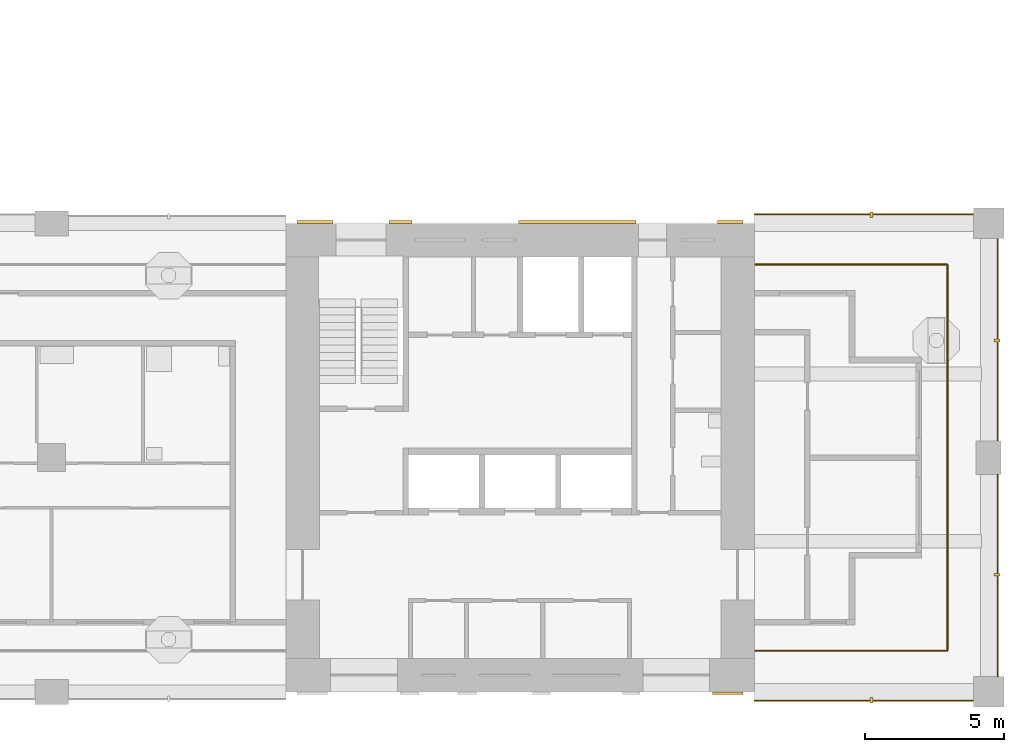
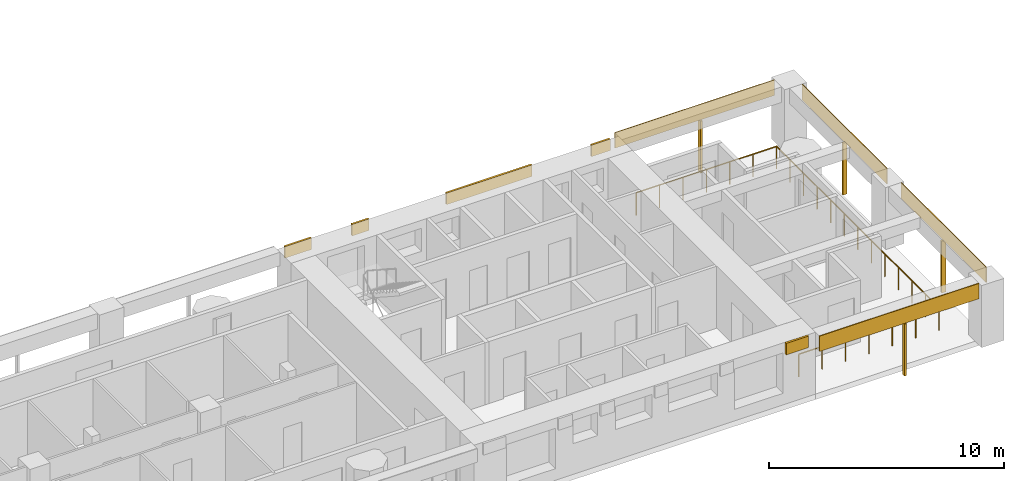
# One storey, part 9 of 13: 13 shading devices, 1 railing.
"""IFC4 building model written with IfcOpenShell, lengths in metres."""

from ifc_helpers import new_model, si_unit, direction, frame, origin, origin_2d, place, context, subcontext, project, spatial, rectangle, circle, extrude, material, layer, layer_set, material_profile, profile_set, type_object, element, save


model = new_model("IFC4")

# Units and contexts
model_context = context("Model", 3, precision=1e-05, world=origin(), true_north=direction((0.0, 1.0)))
body_context = subcontext(model_context, "Body", "Model", "MODEL_VIEW")
ifc_project = project(units=[si_unit("LENGTHUNIT", "METRE"), si_unit("AREAUNIT", "SQUARE_METRE"), si_unit("VOLUMEUNIT", "CUBIC_METRE"), si_unit("PLANEANGLEUNIT", "RADIAN"), si_unit("MASSUNIT", "GRAM", prefix="KILO")], contexts=[model_context])

# Site, building, storey
site_placement = place(None, origin())
site = spatial("IfcSite", under=ifc_project, at=site_placement, CompositionType="ELEMENT")
building_placement = place(site_placement, origin())
building = spatial("IfcBuilding", under=site, at=building_placement, Name="Vermilion Gate Residences", CompositionType="ELEMENT")
storey_placement = place(building_placement, frame((0.0, 0.0, 147.699951171875)))
storey = spatial("IfcBuildingStorey", under=building, at=storey_placement, Name="L37", CompositionType="ELEMENT", Elevation=147.699951171875)

# Railing
ifc_material_1 = material(Name="Stainless steel and toughened glass", Category="steel")
railing_type = type_object("IfcRailingType", Name="LOGGIA GUARD STEEL AND GLASS 1200", PredefinedType="GUARDRAIL", material=ifc_material_1)
railing_placement = place(storey_placement, frame((58.822021484375, 9.875, 0.0)))
element("IfcRailing", 1, at=railing_placement, inside=storey, type_object=railing_type, Name="Loggia guard", PredefinedType="GUARDRAIL", context=body_context, shape_type="SweptSolid", body=[
    extrude(circle(Radius=0.030029296875, at=origin_2d()), frame((0.0, 0.0, 1.169921875), z_axis=(1.0, 0.0, 0.0), x_axis=(0.0, 1.0, 0.0)), (0.0, 0.0, 1.0), 6.903076171875),
    extrude(circle(Radius=0.030029296875, at=origin_2d()), frame((6.903076171875, 0.0, 1.169921875), z_axis=(0.0, 1.0, 0.0), x_axis=(-1.0, 0.0, 0.0)), (0.0, 0.0, 1.0), 13.85009765625),
    extrude(circle(Radius=0.030029296875, at=origin_2d()), frame((6.903076171875, 13.85009765625, 1.169921875), z_axis=(-1.0, 0.0, 0.0), x_axis=(0.0, -1.0, 0.0)), (0.0, 0.0, 1.0), 6.903076171875),
    extrude(circle(Radius=0.02490234375, at=origin_2d()), origin(), (0.0, 0.0, 1.0), 1.139892578125),
    extrude(circle(Radius=0.02490234375, at=origin_2d()), frame((1.150390625, 0.0, 0.0)), (0.0, 0.0, 1.0), 1.139892578125),
    extrude(circle(Radius=0.02490234375, at=origin_2d()), frame((2.301025390625, 0.0, 0.0)), (0.0, 0.0, 1.0), 1.139892578125),
    extrude(circle(Radius=0.02490234375, at=origin_2d()), frame((3.45166015625, 0.0, 0.0)), (0.0, 0.0, 1.0), 1.139892578125),
    extrude(circle(Radius=0.02490234375, at=origin_2d()), frame((4.60205078125, 0.0, 0.0)), (0.0, 0.0, 1.0), 1.139892578125),
    extrude(circle(Radius=0.02490234375, at=origin_2d()), frame((5.75244140625, 0.0, 0.0)), (0.0, 0.0, 1.0), 1.139892578125),
    extrude(circle(Radius=0.02490234375, at=origin_2d()), frame((6.903076171875, 0.0, 0.0)), (0.0, 0.0, 1.0), 1.139892578125),
    extrude(circle(Radius=0.02490234375, at=origin_2d()), frame((6.903076171875, 1.154296875, 0.0)), (0.0, 0.0, 1.0), 1.139892578125),
    extrude(circle(Radius=0.02490234375, at=origin_2d()), frame((6.903076171875, 2.308349609375, 0.0)), (0.0, 0.0, 1.0), 1.139892578125),
    extrude(circle(Radius=0.02490234375, at=origin_2d()), frame((6.903076171875, 3.46240234375, 0.0)), (0.0, 0.0, 1.0), 1.139892578125),
    extrude(circle(Radius=0.02490234375, at=origin_2d()), frame((6.903076171875, 4.61669921875, 0.0)), (0.0, 0.0, 1.0), 1.139892578125),
    extrude(circle(Radius=0.02490234375, at=origin_2d()), frame((6.903076171875, 5.77099609375, 0.0)), (0.0, 0.0, 1.0), 1.139892578125),
    extrude(circle(Radius=0.02490234375, at=origin_2d()), frame((6.903076171875, 6.925048828125, 0.0)), (0.0, 0.0, 1.0), 1.139892578125),
    extrude(circle(Radius=0.02490234375, at=origin_2d()), frame((6.903076171875, 8.0791015625, 0.0)), (0.0, 0.0, 1.0), 1.139892578125),
    extrude(circle(Radius=0.02490234375, at=origin_2d()), frame((6.903076171875, 9.2333984375, 0.0)), (0.0, 0.0, 1.0), 1.139892578125),
    extrude(circle(Radius=0.02490234375, at=origin_2d()), frame((6.903076171875, 10.3876953125, 0.0)), (0.0, 0.0, 1.0), 1.139892578125),
    extrude(circle(Radius=0.02490234375, at=origin_2d()), frame((6.903076171875, 11.541748046875, 0.0)), (0.0, 0.0, 1.0), 1.139892578125),
    extrude(circle(Radius=0.02490234375, at=origin_2d()), frame((6.903076171875, 12.69580078125, 0.0)), (0.0, 0.0, 1.0), 1.139892578125),
    extrude(circle(Radius=0.02490234375, at=origin_2d()), frame((6.903076171875, 13.85009765625, 0.0)), (0.0, 0.0, 1.0), 1.139892578125),
    extrude(circle(Radius=0.02490234375, at=origin_2d()), frame((5.75244140625, 13.85009765625, 0.0)), (0.0, 0.0, 1.0), 1.139892578125),
    extrude(circle(Radius=0.02490234375, at=origin_2d()), frame((4.60205078125, 13.85009765625, 0.0)), (0.0, 0.0, 1.0), 1.139892578125),
    extrude(circle(Radius=0.02490234375, at=origin_2d()), frame((3.45166015625, 13.85009765625, 0.0)), (0.0, 0.0, 1.0), 1.139892578125),
    extrude(circle(Radius=0.02490234375, at=origin_2d()), frame((2.301025390625, 13.85009765625, 0.0)), (0.0, 0.0, 1.0), 1.139892578125),
    extrude(circle(Radius=0.02490234375, at=origin_2d()), frame((1.150390625, 13.85009765625, 0.0)), (0.0, 0.0, 1.0), 1.139892578125),
    extrude(circle(Radius=0.02490234375, at=origin_2d()), frame((0.0, 13.85009765625, 0.0)), (0.0, 0.0, 1.0), 1.139892578125),
])

# Shading devices
ifc_material_2 = material(Name="Perforated terracotta", Category="masonry")
ifc_layer_1 = layer(ifc_material_2, 0.0400390625)
ifc_layer_set_1 = layer_set([ifc_layer_1], Name="PERFORATED TERRACOTTA SCREEN 40")
shading_device_type_1 = type_object("IfcShadingDeviceType", Name="PERFORATED TERRACOTTA SCREEN 40", PredefinedType="SHUTTER", material=ifc_layer_set_1)
shading_device_1_placement = place(storey_placement, frame((62.72509765625, 8.080078125, 2.419921875), z_axis=(0.0, 0.0, 1.0), x_axis=(1.0, 0.0, 0.0)))
element("IfcShadingDevice", 2, at=shading_device_1_placement, inside=storey, type_object=shading_device_type_1, Name="SCREEN", PredefinedType="SHUTTER", context=body_context, shape_type="SweptSolid", body=[
    extrude(rectangle(XDim=7.85009765625, YDim=0.0400390625, at=origin_2d()), origin(), (0.0, 0.0, 1.0), 0.800048828125),
])
for number, where, z_axis, x_axis, name in (
    (3, (67.52001953125, 12.574951171875, 2.419921875), (0.0, 0.0, 1.0), (0.0, 1.0, 0.0), "SCREEN"),
    (4, (67.52001953125, 21.02490234375, 2.419921875), (0.0, 0.0, 1.0), (0.0, 1.0, 0.0), "SCREEN"),
):
    element("IfcShadingDevice", number, at=place(storey_placement, frame(where, z_axis=z_axis, x_axis=x_axis)), inside=storey, type_object=shading_device_type_1, Name=name, PredefinedType="SHUTTER", context=body_context, shape_type="SweptSolid", body=[
        extrude(rectangle(XDim=7.25, YDim=0.0400390625, at=origin_2d()), origin(), (0.0, 0.0, 1.0), 0.800048828125),
    ])
shading_device_2_placement = place(storey_placement, frame((62.72509765625, 25.52001953125, 2.419921875), z_axis=(0.0, 0.0, 1.0), x_axis=(-1.0, 0.0, 0.0)))
element("IfcShadingDevice", 5, at=shading_device_2_placement, inside=storey, type_object=shading_device_type_1, Name="SCREEN", PredefinedType="SHUTTER", context=body_context, shape_type="SweptSolid", body=[
    extrude(rectangle(XDim=7.85009765625, YDim=0.0400390625, at=origin_2d()), origin(), (0.0, 0.0, 1.0), 0.800048828125),
])
ifc_material_3 = material(Name="Extruded terracotta", Category="masonry")
ifc_material_profile = material_profile(ifc_material_3, rectangle(XDim=0.199951171875, YDim=0.10009765625, at=origin_2d()), Name="BAGUETTE 100 X 200")
ifc_profile_set = profile_set([ifc_material_profile], Name="Extruded terracotta")
shading_device_type_2 = type_object("IfcShadingDeviceType", Name="TERRACOTTA BAGUETTE 100 X 200", PredefinedType="JALOUSIE", material=ifc_profile_set)
for number, where, z_axis, x_axis, name in (
    (6, (63.0, 8.10009765625, -0.280029296875), (0.0, 0.0, 1.0), (0.0, 1.0, 0.0), "BAGUETTE"),
    (7, (67.5, 12.60009765625, -0.280029296875), (0.0, 0.0, 1.0), (-1.0, 0.0, 0.0), "BAGUETTE"),
    (8, (67.5, 21.0, -0.280029296875), (0.0, 0.0, 1.0), (-1.0, 0.0, 0.0), "BAGUETTE"),
    (9, (63.0, 25.5, -0.280029296875), (0.0, 0.0, 1.0), (0.0, -1.0, 0.0), "BAGUETTE"),
):
    element("IfcShadingDevice", number, at=place(storey_placement, frame(where, z_axis=z_axis, x_axis=x_axis)), inside=storey, type_object=shading_device_type_2, Name=name, PredefinedType="JALOUSIE", context=body_context, shape_type="SweptSolid", body=[
        extrude(rectangle(XDim=0.199951171875, YDim=0.10009765625, at=origin_2d()), origin(), (0.0, 0.0, 1.0), 2.7001953125),
    ])
ifc_material_4 = material(Name="Extruded terracotta", Category="masonry")
ifc_layer_2 = layer(ifc_material_4, 0.10009765625)
ifc_layer_set_2 = layer_set([ifc_layer_2], Name="TERRACOTTA SPANDREL BAND 600 X 100")
shading_device_type_3 = type_object("IfcShadingDeviceType", Name="TERRACOTTA SPANDREL BAND 600 X 100", PredefinedType="USERDEFINED", material=ifc_layer_set_2)
shading_device_3_placement = place(storey_placement, frame((57.85009765625, 8.35009765625, 2.6201171875), z_axis=(0.0, 0.0, 1.0), x_axis=(1.0, 0.0, 0.0)))
element("IfcShadingDevice", 10, at=shading_device_3_placement, inside=storey, type_object=shading_device_type_3, Name="SPANDREL BAND", ObjectType="BAND", PredefinedType="USERDEFINED", context=body_context, shape_type="SweptSolid", body=[
    extrude(rectangle(XDim=1.10009765625, YDim=0.10009765625, at=origin_2d()), origin(), (0.0, 0.0, 1.0), 0.60009765625),
])
shading_device_4_placement = place(storey_placement, frame((43.050048828125, 25.25, 2.6201171875), z_axis=(0.0, 0.0, 1.0), x_axis=(1.0, 0.0, 0.0)))
element("IfcShadingDevice", 11, at=shading_device_4_placement, inside=storey, type_object=shading_device_type_3, Name="SPANDREL BAND", ObjectType="BAND", PredefinedType="USERDEFINED", context=body_context, shape_type="SweptSolid", body=[
    extrude(rectangle(XDim=1.300048828125, YDim=0.10009765625, at=origin_2d()), origin(), (0.0, 0.0, 1.0), 0.60009765625),
])
shading_device_5_placement = place(storey_placement, frame((46.112548828125, 25.25, 2.6201171875), z_axis=(0.0, 0.0, 1.0), x_axis=(1.0, 0.0, 0.0)))
element("IfcShadingDevice", 12, at=shading_device_5_placement, inside=storey, type_object=shading_device_type_3, Name="SPANDREL BAND", ObjectType="BAND", PredefinedType="USERDEFINED", context=body_context, shape_type="SweptSolid", body=[
    extrude(rectangle(XDim=0.824951171875, YDim=0.10009765625, at=origin_2d()), origin(), (0.0, 0.0, 1.0), 0.60009765625),
])
shading_device_6_placement = place(storey_placement, frame((52.449951171875, 25.25, 2.6201171875), z_axis=(0.0, 0.0, 1.0), x_axis=(1.0, 0.0, 0.0)))
element("IfcShadingDevice", 13, at=shading_device_6_placement, inside=storey, type_object=shading_device_type_3, Name="SPANDREL BAND", ObjectType="BAND", PredefinedType="USERDEFINED", context=body_context, shape_type="SweptSolid", body=[
    extrude(rectangle(XDim=4.199951171875, YDim=0.10009765625, at=origin_2d()), origin(), (0.0, 0.0, 1.0), 0.60009765625),
])
shading_device_7_placement = place(storey_placement, frame((57.9375, 25.25, 2.6201171875), z_axis=(0.0, 0.0, 1.0), x_axis=(1.0, 0.0, 0.0)))
element("IfcShadingDevice", 14, at=shading_device_7_placement, inside=storey, type_object=shading_device_type_3, Name="SPANDREL BAND", ObjectType="BAND", PredefinedType="USERDEFINED", context=body_context, shape_type="SweptSolid", body=[
    extrude(rectangle(XDim=0.925048828125, YDim=0.10009765625, at=origin_2d()), origin(), (0.0, 0.0, 1.0), 0.60009765625),
])

save(model, "model.ifc")
